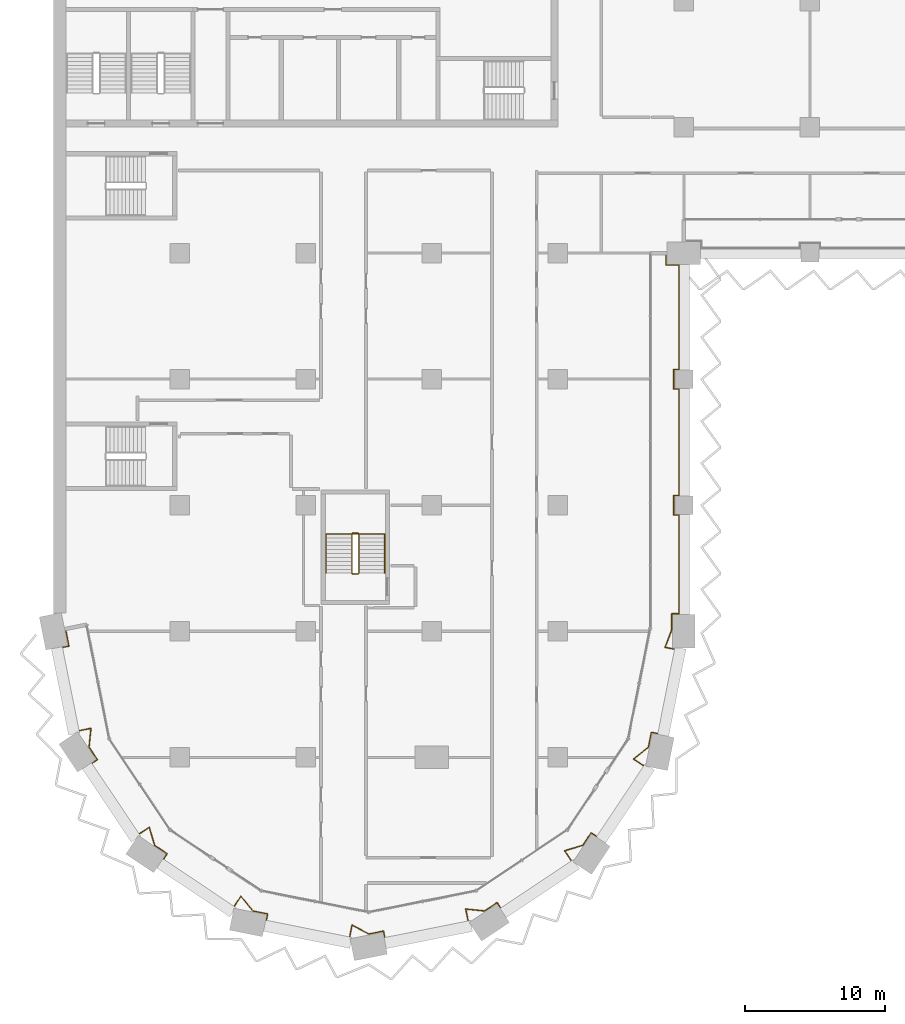
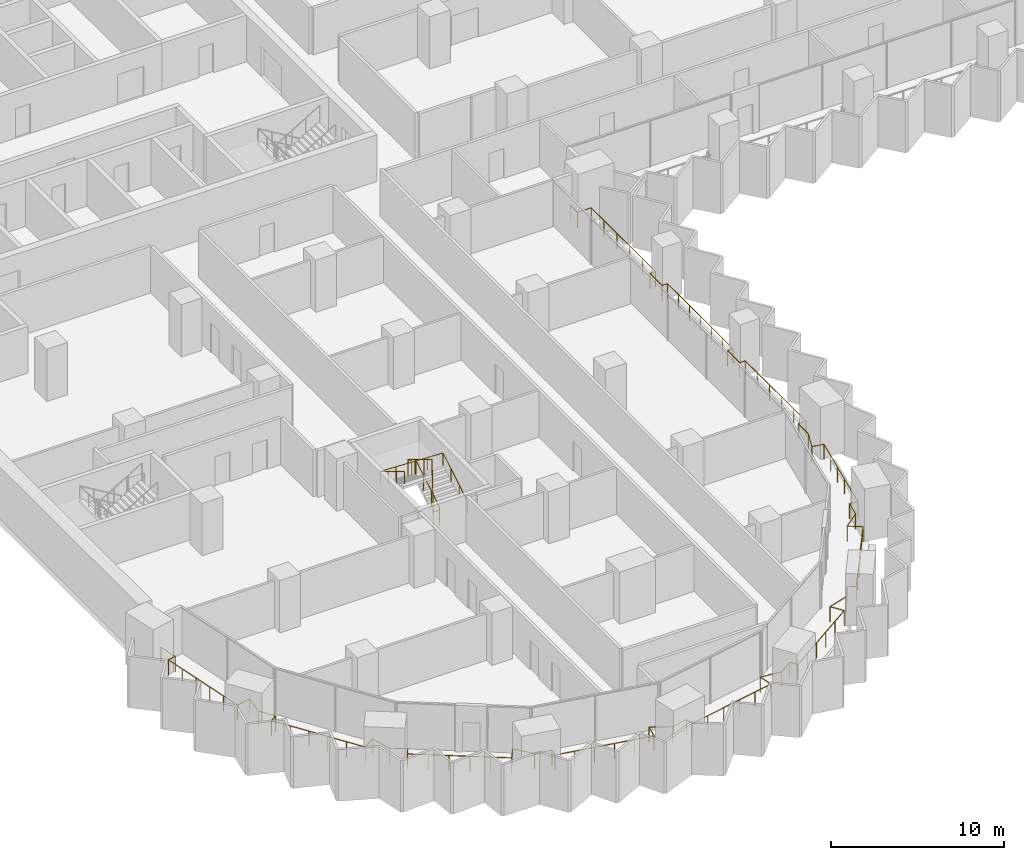
# One storey, part 25 of 29: 3 railings.
"""IFC4 building model written with IfcOpenShell, lengths in metres."""

from ifc_helpers import new_model, si_unit, direction, frame, origin, origin_2d, place, context, subcontext, project, spatial, circle, extrude, material, type_object, element, save


model = new_model("IFC4")

# Units and contexts
model_context = context("Model", 3, precision=1e-05, world=origin(), true_north=direction((0.0, 1.0)))
body_context = subcontext(model_context, "Body", "Model", "MODEL_VIEW")
ifc_project = project(units=[si_unit("LENGTHUNIT", "METRE"), si_unit("AREAUNIT", "SQUARE_METRE"), si_unit("VOLUMEUNIT", "CUBIC_METRE"), si_unit("PLANEANGLEUNIT", "RADIAN"), si_unit("MASSUNIT", "GRAM", prefix="KILO")], contexts=[model_context])

# Site, building, storey
site_placement = place(None, origin())
site = spatial("IfcSite", under=ifc_project, at=site_placement, CompositionType="ELEMENT")
building_placement = place(site_placement, origin())
building = spatial("IfcBuilding", under=site, at=building_placement, Name="Hunhe Ridgeline Campus", CompositionType="ELEMENT")
storey_placement = place(building_placement, frame((0.0, 0.0, 54.300048828125)))
storey = spatial("IfcBuildingStorey", under=building, at=storey_placement, Name="L12", CompositionType="ELEMENT", Elevation=54.300048828125)

# Railings
ifc_material_1 = material(Name="Steel Q355", Category="steel")
railing_type_1 = type_object("IfcRailingType", Name="Loggia guard 1100 Steel Q355", PredefinedType="GUARDRAIL", material=ifc_material_1)
railing_1_placement = place(storey_placement, frame((0.853271484375, 27.169677734375, 0.0)))
element("IfcRailing", 1, at=railing_1_placement, inside=storey, type_object=railing_type_1, Name="Loggia guard 1", PredefinedType="GUARDRAIL", context=body_context, shape_type="SweptSolid", body=[
    extrude(circle(Radius=0.02392578125, at=origin_2d()), frame((0.0, 0.0, 1.076171875), z_axis=(0.195139364365, -0.980775523999, 0.0), x_axis=(0.980775523999, 0.195139364365, 0.0)), (0.0, 0.0, 1.0), 1.249755859375),
    extrude(circle(Radius=0.02392578125, at=origin_2d()), frame((0.243896484375, -1.225830078125, 1.076171875), z_axis=(-0.980742851189, -0.195303506986, 0.0), x_axis=(0.195303506986, -0.980742851189, 0.0)), (0.0, 0.0, 1.0), 0.52001953125),
    extrude(circle(Radius=0.02392578125, at=origin_2d()), frame((-0.26611328125, -1.327392578125, 1.076171875), z_axis=(0.195094074844, -0.980784533912, 0.0), x_axis=(0.980784533912, 0.195094074844, 0.0)), (0.0, 0.0, 1.0), 6.064208984375),
    extrude(circle(Radius=0.02392578125, at=origin_2d()), frame((0.9169921875, -7.275146484375, 1.076171875), z_axis=(0.980774480174, 0.195144610585, 0.0), x_axis=(-0.195144610585, 0.980774480174, 0.0)), (0.0, 0.0, 1.0), 0.918212890625),
    extrude(circle(Radius=0.02392578125, at=origin_2d()), frame((1.817626953125, -7.095947265625, 1.076171875), z_axis=(-0.102578746514, -0.994724886973, 0.0), x_axis=(0.994724886973, -0.102578746514, 0.0)), (0.0, 0.0, 1.0), 1.351806640625),
    extrude(circle(Radius=0.02392578125, at=origin_2d()), frame((1.678955078125, -8.440673828125, 1.076171875), z_axis=(0.555693885997, -0.831386976724, 0.0), x_axis=(0.831386976724, 0.555693885997, 0.0)), (0.0, 0.0, 1.0), 1.076904296875),
    extrude(circle(Radius=0.02392578125, at=origin_2d()), frame((2.27734375, -9.3359375, 1.076171875), z_axis=(-0.831327417949, -0.555782982977, 0.0), x_axis=(0.555782982977, -0.831327417949, 0.0)), (0.0, 0.0, 1.0), 0.52001953125),
    extrude(circle(Radius=0.02392578125, at=origin_2d()), frame((1.844970703125, -9.625, 1.076171875), z_axis=(0.55557319973, -0.831467630002, 0.0), x_axis=(0.831467630002, 0.55557319973, 0.0)), (0.0, 0.0, 1.0), 6.064208984375),
    extrude(circle(Radius=0.02392578125, at=origin_2d()), frame((5.214111328125, -14.667236328125, 1.076171875), z_axis=(0.831395250422, 0.555681507318, 0.0), x_axis=(-0.555681507318, 0.831395250422, 0.0)), (0.0, 0.0, 1.0), 0.918212890625),
    extrude(circle(Radius=0.02392578125, at=origin_2d()), frame((5.9775390625, -14.156982421875, 1.076171875), z_axis=(0.285889499126, -0.958262591511, 0.0), x_axis=(0.958262591511, 0.285889499126, 0.0)), (0.0, 0.0, 1.0), 1.351806640625),
    extrude(circle(Radius=0.02392578125, at=origin_2d()), frame((6.364013671875, -15.452392578125, 1.076171875), z_axis=(0.831456967492, -0.555589156849, 0.0), x_axis=(0.555589156849, 0.831456967492, 0.0)), (0.0, 0.0, 1.0), 1.0771484375),
    extrude(circle(Radius=0.02392578125, at=origin_2d()), frame((7.259521484375, -16.05078125, 1.076171875), z_axis=(-0.555675381322, -0.831399344835, 0.0), x_axis=(0.831399344835, -0.555675381322, 0.0)), (0.0, 0.0, 1.0), 0.519775390625),
    extrude(circle(Radius=0.02392578125, at=origin_2d()), frame((6.970703125, -16.48291015625, 1.076171875), z_axis=(0.831467630002, -0.55557319973, 0.0), x_axis=(0.55557319973, 0.831467630002, 0.0)), (0.0, 0.0, 1.0), 6.064208984375),
    extrude(circle(Radius=0.02392578125, at=origin_2d()), frame((12.012939453125, -19.85205078125, 1.076171875), z_axis=(0.555497688072, 0.831518080709, 0.0), x_axis=(-0.831518080709, 0.555497688072, 0.0)), (0.0, 0.0, 1.0), 0.918212890625),
    extrude(circle(Radius=0.02392578125, at=origin_2d()), frame((12.52294921875, -19.088623046875, 1.076171875), z_axis=(0.630864561128, -0.775892972976, 0.0), x_axis=(0.775892972976, 0.630864561128, 0.0)), (0.0, 0.0, 1.0), 1.351806640625),
    extrude(circle(Radius=0.02392578125, at=origin_2d()), frame((13.375732421875, -20.137451171875, 1.076171875), z_axis=(0.980771998786, -0.195157081339, 0.0), x_axis=(0.195157081339, 0.980771998786, 0.0)), (0.0, 0.0, 1.0), 1.0771484375),
    extrude(circle(Radius=0.02392578125, at=origin_2d()), frame((14.43212890625, -20.34765625, 1.076171875), z_axis=(-0.195303506986, -0.980742851189, 0.0), x_axis=(0.980742851189, -0.195303506986, 0.0)), (0.0, 0.0, 1.0), 0.52001953125),
    extrude(circle(Radius=0.02392578125, at=origin_2d()), frame((14.33056640625, -20.857666015625, 1.076171875), z_axis=(0.980792236535, -0.195055347919, 0.0), x_axis=(0.195055347919, 0.980792236535, 0.0)), (0.0, 0.0, 1.0), 6.064208984375),
    extrude(circle(Radius=0.02392578125, at=origin_2d()), frame((20.2783203125, -22.04052734375, 1.076171875), z_axis=(0.195144610585, 0.980774480174, 0.0), x_axis=(-0.980774480174, 0.195144610585, 0.0)), (0.0, 0.0, 1.0), 0.918212890625),
    extrude(circle(Radius=0.02392578125, at=origin_2d()), frame((20.45751953125, -21.139892578125, 1.076171875), z_axis=(0.879704471732, -0.475520811757, 0.0), x_axis=(0.475520811757, 0.879704471732, 0.0)), (0.0, 0.0, 1.0), 1.351806640625),
    extrude(circle(Radius=0.02392578125, at=origin_2d()), frame((21.646728515625, -21.78271484375, 1.076171875), z_axis=(0.980763363144, 0.195200475189, 0.0), x_axis=(-0.195200475189, 0.980763363144, 0.0)), (0.0, 0.0, 1.0), 1.076904296875),
    extrude(circle(Radius=0.02392578125, at=origin_2d()), frame((22.702880859375, -21.572509765625, 1.076171875), z_axis=(0.195303506986, -0.980742851189, 0.0), x_axis=(0.980742851189, 0.195303506986, 0.0)), (0.0, 0.0, 1.0), 0.52001953125),
    extrude(circle(Radius=0.02392578125, at=origin_2d()), frame((22.804443359375, -22.08251953125, 1.076171875), z_axis=(0.980784533912, 0.195094074844, 0.0), x_axis=(-0.195094074844, 0.980784533912, 0.0)), (0.0, 0.0, 1.0), 6.064208984375),
    extrude(circle(Radius=0.02392578125, at=origin_2d()), frame((28.752197265625, -20.8994140625, 1.076171875), z_axis=(-0.195144610585, 0.980774480174, 0.0), x_axis=(-0.980774480174, -0.195144610585, 0.0)), (0.0, 0.0, 1.0), 0.918212890625),
    extrude(circle(Radius=0.02392578125, at=origin_2d()), frame((28.572998046875, -19.998779296875, 1.076171875), z_axis=(0.994724886973, -0.102578746514, 0.0), x_axis=(0.102578746514, 0.994724886973, 0.0)), (0.0, 0.0, 1.0), 1.351806640625),
    extrude(circle(Radius=0.02392578125, at=origin_2d()), frame((29.917724609375, -20.137451171875, 1.076171875), z_axis=(0.831386976724, 0.555693885997, 0.0), x_axis=(-0.555693885997, 0.831386976724, 0.0)), (0.0, 0.0, 1.0), 1.076904296875),
    extrude(circle(Radius=0.02392578125, at=origin_2d()), frame((30.81298828125, -19.5390625, 1.076171875), z_axis=(0.555782982977, -0.831327417949, 0.0), x_axis=(0.831327417949, 0.555782982977, 0.0)), (0.0, 0.0, 1.0), 0.52001953125),
    extrude(circle(Radius=0.02392578125, at=origin_2d()), frame((31.10205078125, -19.971435546875, 1.076171875), z_axis=(0.831467630002, 0.55557319973, 0.0), x_axis=(-0.55557319973, 0.831467630002, 0.0)), (0.0, 0.0, 1.0), 6.064208984375),
    extrude(circle(Radius=0.02392578125, at=origin_2d()), frame((36.144287109375, -16.602294921875, 1.076171875), z_axis=(-0.555681507318, 0.831395250422, 0.0), x_axis=(-0.831395250422, -0.555681507318, 0.0)), (0.0, 0.0, 1.0), 0.918212890625),
    extrude(circle(Radius=0.02392578125, at=origin_2d()), frame((35.634033203125, -15.8388671875, 1.076171875), z_axis=(0.958262591511, 0.285889499126, 0.0), x_axis=(-0.285889499126, 0.958262591511, 0.0)), (0.0, 0.0, 1.0), 1.351806640625),
    extrude(circle(Radius=0.02392578125, at=origin_2d()), frame((36.929443359375, -15.452392578125, 1.076171875), z_axis=(0.555589156849, 0.831456967492, 0.0), x_axis=(-0.831456967492, 0.555589156849, 0.0)), (0.0, 0.0, 1.0), 1.0771484375),
    extrude(circle(Radius=0.02392578125, at=origin_2d()), frame((37.52783203125, -14.556884765625, 1.076171875), z_axis=(0.831399344835, -0.555675381322, 0.0), x_axis=(0.555675381322, 0.831399344835, 0.0)), (0.0, 0.0, 1.0), 0.519775390625),
    extrude(circle(Radius=0.02392578125, at=origin_2d()), frame((37.9599609375, -14.845703125, 1.076171875), z_axis=(0.55557319973, 0.831467630002, 0.0), x_axis=(-0.831467630002, 0.55557319973, 0.0)), (0.0, 0.0, 1.0), 6.064208984375),
    extrude(circle(Radius=0.02392578125, at=origin_2d()), frame((41.3291015625, -9.803466796875, 1.076171875), z_axis=(-0.831518080709, 0.555497688072, 0.0), x_axis=(-0.555497688072, -0.831518080709, 0.0)), (0.0, 0.0, 1.0), 0.918212890625),
    extrude(circle(Radius=0.02392578125, at=origin_2d()), frame((40.565673828125, -9.29345703125, 1.076171875), z_axis=(0.775892972976, 0.630864561128, 0.0), x_axis=(-0.630864561128, 0.775892972976, 0.0)), (0.0, 0.0, 1.0), 1.351806640625),
    extrude(circle(Radius=0.02392578125, at=origin_2d()), frame((41.614501953125, -8.440673828125, 1.076171875), z_axis=(0.195157081339, 0.980771998786, 0.0), x_axis=(-0.980771998786, 0.195157081339, 0.0)), (0.0, 0.0, 1.0), 1.0771484375),
    extrude(circle(Radius=0.02392578125, at=origin_2d()), frame((41.82470703125, -7.38427734375, 1.076171875), z_axis=(0.980742851189, -0.195303506986, 0.0), x_axis=(0.195303506986, 0.980742851189, 0.0)), (0.0, 0.0, 1.0), 0.52001953125),
    extrude(circle(Radius=0.02392578125, at=origin_2d()), frame((42.334716796875, -7.48583984375, 1.076171875), z_axis=(0.19507712928, 0.980787904509, 0.0), x_axis=(-0.980787904509, 0.19507712928, 0.0)), (0.0, 0.0, 1.0), 6.146240234375),
    extrude(circle(Radius=0.02392578125, at=origin_2d()), frame((43.53369140625, -1.457763671875, 1.076171875), z_axis=(-0.980808789294, 0.194972097602, 0.0), x_axis=(-0.194972097602, -0.980808789294, 0.0)), (0.0, 0.0, 1.0), 0.73876953125),
    extrude(circle(Radius=0.02392578125, at=origin_2d()), frame((42.80908203125, -1.313720703125, 1.076171875), z_axis=(0.35537018301, 0.93472564586, 0.0), x_axis=(-0.93472564586, 0.35537018301, 0.0)), (0.0, 0.0, 1.0), 1.315673828125),
    extrude(circle(Radius=0.02392578125, at=origin_2d()), frame((43.276611328125, -0.083984375, 1.076171875), z_axis=(0.0, 1.0, 0.0), x_axis=(-1.0, 0.0, 0.0)), (0.0, 0.0, 1.0), 1.164306640625),
    extrude(circle(Radius=0.02392578125, at=origin_2d()), frame((43.276611328125, 1.080322265625, 1.076171875), z_axis=(1.0, 0.0, 0.0), x_axis=(0.0, 1.0, 0.0)), (0.0, 0.0, 1.0), 0.52001953125),
    extrude(circle(Radius=0.02392578125, at=origin_2d()), frame((43.796630859375, 1.080322265625, 1.076171875), z_axis=(0.0, 1.0, 0.0), x_axis=(-1.0, 0.0, 0.0)), (0.0, 0.0, 1.0), 7.050048828125),
    extrude(circle(Radius=0.02392578125, at=origin_2d()), frame((43.796630859375, 8.13037109375, 1.076171875), z_axis=(-1.0, 0.0, 0.0), x_axis=(0.0, -1.0, 0.0)), (0.0, 0.0, 1.0), 0.369873046875),
    extrude(circle(Radius=0.02392578125, at=origin_2d()), frame((43.4267578125, 8.13037109375, 1.076171875), z_axis=(0.0, 1.0, 0.0), x_axis=(-1.0, 0.0, 0.0)), (0.0, 0.0, 1.0), 1.39990234375),
    extrude(circle(Radius=0.02392578125, at=origin_2d()), frame((43.4267578125, 9.5302734375, 1.076171875), z_axis=(1.0, 0.0, 0.0), x_axis=(0.0, 1.0, 0.0)), (0.0, 0.0, 1.0), 0.369873046875),
    extrude(circle(Radius=0.02392578125, at=origin_2d()), frame((43.796630859375, 9.5302734375, 1.076171875), z_axis=(0.0, 1.0, 0.0), x_axis=(-1.0, 0.0, 0.0)), (0.0, 0.0, 1.0), 7.60009765625),
    extrude(circle(Radius=0.02392578125, at=origin_2d()), frame((43.796630859375, 17.13037109375, 1.076171875), z_axis=(-1.0, 0.0, 0.0), x_axis=(0.0, -1.0, 0.0)), (0.0, 0.0, 1.0), 0.369873046875),
    extrude(circle(Radius=0.02392578125, at=origin_2d()), frame((43.4267578125, 17.13037109375, 1.076171875), z_axis=(0.0, 1.0, 0.0), x_axis=(-1.0, 0.0, 0.0)), (0.0, 0.0, 1.0), 1.39990234375),
    extrude(circle(Radius=0.02392578125, at=origin_2d()), frame((43.4267578125, 18.5302734375, 1.076171875), z_axis=(1.0, 0.0, 0.0), x_axis=(0.0, 1.0, 0.0)), (0.0, 0.0, 1.0), 0.369873046875),
    extrude(circle(Radius=0.02392578125, at=origin_2d()), frame((43.796630859375, 18.5302734375, 1.076171875), z_axis=(0.0, 1.0, 0.0), x_axis=(-1.0, 0.0, 0.0)), (0.0, 0.0, 1.0), 7.449951171875),
    extrude(circle(Radius=0.02392578125, at=origin_2d()), frame((43.796630859375, 25.980224609375, 1.076171875), z_axis=(-1.0, 0.0, 0.0), x_axis=(0.0, -1.0, 0.0)), (0.0, 0.0, 1.0), 0.919921875),
    extrude(circle(Radius=0.02392578125, at=origin_2d()), frame((42.876708984375, 25.980224609375, 1.076171875), z_axis=(0.0, 1.0, 0.0), x_axis=(-1.0, 0.0, 0.0)), (0.0, 0.0, 1.0), 0.85009765625),
    extrude(circle(Radius=0.02099609375, at=origin_2d()), origin(), (0.0, 0.0, 1.0), 1.052001953125),
    extrude(circle(Radius=0.02099609375, at=origin_2d()), frame((0.243896484375, -1.225830078125, 0.0)), (0.0, 0.0, 1.0), 1.052001953125),
    extrude(circle(Radius=0.02099609375, at=origin_2d()), frame((-0.26611328125, -1.327392578125, 0.0)), (0.0, 0.0, 1.0), 1.052001953125),
    extrude(circle(Radius=0.02099609375, at=origin_2d()), frame((-0.029541015625, -2.516845703125, 0.0)), (0.0, 0.0, 1.0), 1.052001953125),
    extrude(circle(Radius=0.02099609375, at=origin_2d()), frame((0.20703125, -3.70654296875, 0.0)), (0.0, 0.0, 1.0), 1.052001953125),
    extrude(circle(Radius=0.02099609375, at=origin_2d()), frame((0.44384765625, -4.89599609375, 0.0)), (0.0, 0.0, 1.0), 1.052001953125),
    extrude(circle(Radius=0.02099609375, at=origin_2d()), frame((0.680419921875, -6.085693359375, 0.0)), (0.0, 0.0, 1.0), 1.052001953125),
    extrude(circle(Radius=0.02099609375, at=origin_2d()), frame((0.9169921875, -7.275146484375, 0.0)), (0.0, 0.0, 1.0), 1.052001953125),
    extrude(circle(Radius=0.02099609375, at=origin_2d()), frame((1.817626953125, -7.095947265625, 0.0)), (0.0, 0.0, 1.0), 1.052001953125),
    extrude(circle(Radius=0.02099609375, at=origin_2d()), frame((1.678955078125, -8.440673828125, 0.0)), (0.0, 0.0, 1.0), 1.052001953125),
    extrude(circle(Radius=0.02099609375, at=origin_2d()), frame((2.27734375, -9.3359375, 0.0)), (0.0, 0.0, 1.0), 1.052001953125),
    extrude(circle(Radius=0.02099609375, at=origin_2d()), frame((1.844970703125, -9.625, 0.0)), (0.0, 0.0, 1.0), 1.052001953125),
    extrude(circle(Radius=0.02099609375, at=origin_2d()), frame((2.518798828125, -10.633544921875, 0.0)), (0.0, 0.0, 1.0), 1.052001953125),
    extrude(circle(Radius=0.02099609375, at=origin_2d()), frame((3.192626953125, -11.641845703125, 0.0)), (0.0, 0.0, 1.0), 1.052001953125),
    extrude(circle(Radius=0.02099609375, at=origin_2d()), frame((3.866455078125, -12.650390625, 0.0)), (0.0, 0.0, 1.0), 1.052001953125),
    extrude(circle(Radius=0.02099609375, at=origin_2d()), frame((4.540283203125, -13.65869140625, 0.0)), (0.0, 0.0, 1.0), 1.052001953125),
    extrude(circle(Radius=0.02099609375, at=origin_2d()), frame((5.214111328125, -14.667236328125, 0.0)), (0.0, 0.0, 1.0), 1.052001953125),
    extrude(circle(Radius=0.02099609375, at=origin_2d()), frame((5.9775390625, -14.156982421875, 0.0)), (0.0, 0.0, 1.0), 1.052001953125),
    extrude(circle(Radius=0.02099609375, at=origin_2d()), frame((6.364013671875, -15.452392578125, 0.0)), (0.0, 0.0, 1.0), 1.052001953125),
    extrude(circle(Radius=0.02099609375, at=origin_2d()), frame((7.259521484375, -16.05078125, 0.0)), (0.0, 0.0, 1.0), 1.052001953125),
    extrude(circle(Radius=0.02099609375, at=origin_2d()), frame((6.970703125, -16.48291015625, 0.0)), (0.0, 0.0, 1.0), 1.052001953125),
    extrude(circle(Radius=0.02099609375, at=origin_2d()), frame((7.979248046875, -17.15673828125, 0.0)), (0.0, 0.0, 1.0), 1.052001953125),
    extrude(circle(Radius=0.02099609375, at=origin_2d()), frame((8.987548828125, -17.83056640625, 0.0)), (0.0, 0.0, 1.0), 1.052001953125),
    extrude(circle(Radius=0.02099609375, at=origin_2d()), frame((9.99609375, -18.50439453125, 0.0)), (0.0, 0.0, 1.0), 1.052001953125),
    extrude(circle(Radius=0.02099609375, at=origin_2d()), frame((11.00439453125, -19.17822265625, 0.0)), (0.0, 0.0, 1.0), 1.052001953125),
    extrude(circle(Radius=0.02099609375, at=origin_2d()), frame((12.012939453125, -19.85205078125, 0.0)), (0.0, 0.0, 1.0), 1.052001953125),
    extrude(circle(Radius=0.02099609375, at=origin_2d()), frame((12.52294921875, -19.088623046875, 0.0)), (0.0, 0.0, 1.0), 1.052001953125),
    extrude(circle(Radius=0.02099609375, at=origin_2d()), frame((13.375732421875, -20.137451171875, 0.0)), (0.0, 0.0, 1.0), 1.052001953125),
    extrude(circle(Radius=0.02099609375, at=origin_2d()), frame((14.43212890625, -20.34765625, 0.0)), (0.0, 0.0, 1.0), 1.052001953125),
    extrude(circle(Radius=0.02099609375, at=origin_2d()), frame((14.33056640625, -20.857666015625, 0.0)), (0.0, 0.0, 1.0), 1.052001953125),
    extrude(circle(Radius=0.02099609375, at=origin_2d()), frame((15.52001953125, -21.09423828125, 0.0)), (0.0, 0.0, 1.0), 1.052001953125),
    extrude(circle(Radius=0.02099609375, at=origin_2d()), frame((16.709716796875, -21.330810546875, 0.0)), (0.0, 0.0, 1.0), 1.052001953125),
    extrude(circle(Radius=0.02099609375, at=origin_2d()), frame((17.899169921875, -21.5673828125, 0.0)), (0.0, 0.0, 1.0), 1.052001953125),
    extrude(circle(Radius=0.02099609375, at=origin_2d()), frame((19.0888671875, -21.803955078125, 0.0)), (0.0, 0.0, 1.0), 1.052001953125),
    extrude(circle(Radius=0.02099609375, at=origin_2d()), frame((20.2783203125, -22.04052734375, 0.0)), (0.0, 0.0, 1.0), 1.052001953125),
    extrude(circle(Radius=0.02099609375, at=origin_2d()), frame((20.45751953125, -21.139892578125, 0.0)), (0.0, 0.0, 1.0), 1.052001953125),
    extrude(circle(Radius=0.02099609375, at=origin_2d()), frame((21.646728515625, -21.78271484375, 0.0)), (0.0, 0.0, 1.0), 1.052001953125),
    extrude(circle(Radius=0.02099609375, at=origin_2d()), frame((22.702880859375, -21.572509765625, 0.0)), (0.0, 0.0, 1.0), 1.052001953125),
    extrude(circle(Radius=0.02099609375, at=origin_2d()), frame((22.804443359375, -22.08251953125, 0.0)), (0.0, 0.0, 1.0), 1.052001953125),
    extrude(circle(Radius=0.02099609375, at=origin_2d()), frame((23.993896484375, -21.845947265625, 0.0)), (0.0, 0.0, 1.0), 1.052001953125),
    extrude(circle(Radius=0.02099609375, at=origin_2d()), frame((25.18359375, -21.609375, 0.0)), (0.0, 0.0, 1.0), 1.052001953125),
    extrude(circle(Radius=0.02099609375, at=origin_2d()), frame((26.373046875, -21.37255859375, 0.0)), (0.0, 0.0, 1.0), 1.052001953125),
    extrude(circle(Radius=0.02099609375, at=origin_2d()), frame((27.562744140625, -21.135986328125, 0.0)), (0.0, 0.0, 1.0), 1.052001953125),
    extrude(circle(Radius=0.02099609375, at=origin_2d()), frame((28.752197265625, -20.8994140625, 0.0)), (0.0, 0.0, 1.0), 1.052001953125),
    extrude(circle(Radius=0.02099609375, at=origin_2d()), frame((28.572998046875, -19.998779296875, 0.0)), (0.0, 0.0, 1.0), 1.052001953125),
    extrude(circle(Radius=0.02099609375, at=origin_2d()), frame((29.917724609375, -20.137451171875, 0.0)), (0.0, 0.0, 1.0), 1.052001953125),
    extrude(circle(Radius=0.02099609375, at=origin_2d()), frame((30.81298828125, -19.5390625, 0.0)), (0.0, 0.0, 1.0), 1.052001953125),
    extrude(circle(Radius=0.02099609375, at=origin_2d()), frame((31.10205078125, -19.971435546875, 0.0)), (0.0, 0.0, 1.0), 1.052001953125),
    extrude(circle(Radius=0.02099609375, at=origin_2d()), frame((32.110595703125, -19.297607421875, 0.0)), (0.0, 0.0, 1.0), 1.052001953125),
    extrude(circle(Radius=0.02099609375, at=origin_2d()), frame((33.118896484375, -18.623779296875, 0.0)), (0.0, 0.0, 1.0), 1.052001953125),
    extrude(circle(Radius=0.02099609375, at=origin_2d()), frame((34.12744140625, -17.949951171875, 0.0)), (0.0, 0.0, 1.0), 1.052001953125),
    extrude(circle(Radius=0.02099609375, at=origin_2d()), frame((35.1357421875, -17.276123046875, 0.0)), (0.0, 0.0, 1.0), 1.052001953125),
    extrude(circle(Radius=0.02099609375, at=origin_2d()), frame((36.144287109375, -16.602294921875, 0.0)), (0.0, 0.0, 1.0), 1.052001953125),
    extrude(circle(Radius=0.02099609375, at=origin_2d()), frame((35.634033203125, -15.8388671875, 0.0)), (0.0, 0.0, 1.0), 1.052001953125),
    extrude(circle(Radius=0.02099609375, at=origin_2d()), frame((36.929443359375, -15.452392578125, 0.0)), (0.0, 0.0, 1.0), 1.052001953125),
    extrude(circle(Radius=0.02099609375, at=origin_2d()), frame((37.52783203125, -14.556884765625, 0.0)), (0.0, 0.0, 1.0), 1.052001953125),
    extrude(circle(Radius=0.02099609375, at=origin_2d()), frame((37.9599609375, -14.845703125, 0.0)), (0.0, 0.0, 1.0), 1.052001953125),
    extrude(circle(Radius=0.02099609375, at=origin_2d()), frame((38.6337890625, -13.837158203125, 0.0)), (0.0, 0.0, 1.0), 1.052001953125),
    extrude(circle(Radius=0.02099609375, at=origin_2d()), frame((39.3076171875, -12.828857421875, 0.0)), (0.0, 0.0, 1.0), 1.052001953125),
    extrude(circle(Radius=0.02099609375, at=origin_2d()), frame((39.9814453125, -11.8203125, 0.0)), (0.0, 0.0, 1.0), 1.052001953125),
    extrude(circle(Radius=0.02099609375, at=origin_2d()), frame((40.6552734375, -10.81201171875, 0.0)), (0.0, 0.0, 1.0), 1.052001953125),
    extrude(circle(Radius=0.02099609375, at=origin_2d()), frame((41.3291015625, -9.803466796875, 0.0)), (0.0, 0.0, 1.0), 1.052001953125),
    extrude(circle(Radius=0.02099609375, at=origin_2d()), frame((40.565673828125, -9.29345703125, 0.0)), (0.0, 0.0, 1.0), 1.052001953125),
    extrude(circle(Radius=0.02099609375, at=origin_2d()), frame((41.614501953125, -8.440673828125, 0.0)), (0.0, 0.0, 1.0), 1.052001953125),
    extrude(circle(Radius=0.02099609375, at=origin_2d()), frame((41.82470703125, -7.38427734375, 0.0)), (0.0, 0.0, 1.0), 1.052001953125),
    extrude(circle(Radius=0.02099609375, at=origin_2d()), frame((42.334716796875, -7.48583984375, 0.0)), (0.0, 0.0, 1.0), 1.052001953125),
    extrude(circle(Radius=0.02099609375, at=origin_2d()), frame((42.574462890625, -6.2802734375, 0.0)), (0.0, 0.0, 1.0), 1.052001953125),
    extrude(circle(Radius=0.02099609375, at=origin_2d()), frame((42.814208984375, -5.07470703125, 0.0)), (0.0, 0.0, 1.0), 1.052001953125),
    extrude(circle(Radius=0.02099609375, at=origin_2d()), frame((43.05419921875, -3.868896484375, 0.0)), (0.0, 0.0, 1.0), 1.052001953125),
    extrude(circle(Radius=0.02099609375, at=origin_2d()), frame((43.2939453125, -2.663330078125, 0.0)), (0.0, 0.0, 1.0), 1.052001953125),
    extrude(circle(Radius=0.02099609375, at=origin_2d()), frame((43.53369140625, -1.457763671875, 0.0)), (0.0, 0.0, 1.0), 1.052001953125),
    extrude(circle(Radius=0.02099609375, at=origin_2d()), frame((42.80908203125, -1.313720703125, 0.0)), (0.0, 0.0, 1.0), 1.052001953125),
    extrude(circle(Radius=0.02099609375, at=origin_2d()), frame((43.276611328125, -0.083984375, 0.0)), (0.0, 0.0, 1.0), 1.052001953125),
    extrude(circle(Radius=0.02099609375, at=origin_2d()), frame((43.276611328125, 1.080322265625, 0.0)), (0.0, 0.0, 1.0), 1.052001953125),
    extrude(circle(Radius=0.02099609375, at=origin_2d()), frame((43.796630859375, 1.080322265625, 0.0)), (0.0, 0.0, 1.0), 1.052001953125),
    extrude(circle(Radius=0.02099609375, at=origin_2d()), frame((43.796630859375, 2.490234375, 0.0)), (0.0, 0.0, 1.0), 1.052001953125),
    extrude(circle(Radius=0.02099609375, at=origin_2d()), frame((43.796630859375, 3.900390625, 0.0)), (0.0, 0.0, 1.0), 1.052001953125),
    extrude(circle(Radius=0.02099609375, at=origin_2d()), frame((43.796630859375, 5.310302734375, 0.0)), (0.0, 0.0, 1.0), 1.052001953125),
    extrude(circle(Radius=0.02099609375, at=origin_2d()), frame((43.796630859375, 6.720458984375, 0.0)), (0.0, 0.0, 1.0), 1.052001953125),
    extrude(circle(Radius=0.02099609375, at=origin_2d()), frame((43.796630859375, 8.13037109375, 0.0)), (0.0, 0.0, 1.0), 1.052001953125),
    extrude(circle(Radius=0.02099609375, at=origin_2d()), frame((43.4267578125, 8.13037109375, 0.0)), (0.0, 0.0, 1.0), 1.052001953125),
    extrude(circle(Radius=0.02099609375, at=origin_2d()), frame((43.4267578125, 9.5302734375, 0.0)), (0.0, 0.0, 1.0), 1.052001953125),
    extrude(circle(Radius=0.02099609375, at=origin_2d()), frame((43.796630859375, 9.5302734375, 0.0)), (0.0, 0.0, 1.0), 1.052001953125),
    extrude(circle(Radius=0.02099609375, at=origin_2d()), frame((43.796630859375, 10.796875, 0.0)), (0.0, 0.0, 1.0), 1.052001953125),
    extrude(circle(Radius=0.02099609375, at=origin_2d()), frame((43.796630859375, 12.063720703125, 0.0)), (0.0, 0.0, 1.0), 1.052001953125),
    extrude(circle(Radius=0.02099609375, at=origin_2d()), frame((43.796630859375, 13.330322265625, 0.0)), (0.0, 0.0, 1.0), 1.052001953125),
    extrude(circle(Radius=0.02099609375, at=origin_2d()), frame((43.796630859375, 14.596923828125, 0.0)), (0.0, 0.0, 1.0), 1.052001953125),
    extrude(circle(Radius=0.02099609375, at=origin_2d()), frame((43.796630859375, 15.86376953125, 0.0)), (0.0, 0.0, 1.0), 1.052001953125),
    extrude(circle(Radius=0.02099609375, at=origin_2d()), frame((43.796630859375, 17.13037109375, 0.0)), (0.0, 0.0, 1.0), 1.052001953125),
    extrude(circle(Radius=0.02099609375, at=origin_2d()), frame((43.4267578125, 17.13037109375, 0.0)), (0.0, 0.0, 1.0), 1.052001953125),
    extrude(circle(Radius=0.02099609375, at=origin_2d()), frame((43.4267578125, 18.5302734375, 0.0)), (0.0, 0.0, 1.0), 1.052001953125),
    extrude(circle(Radius=0.02099609375, at=origin_2d()), frame((43.796630859375, 18.5302734375, 0.0)), (0.0, 0.0, 1.0), 1.052001953125),
    extrude(circle(Radius=0.02099609375, at=origin_2d()), frame((43.796630859375, 20.020263671875, 0.0)), (0.0, 0.0, 1.0), 1.052001953125),
    extrude(circle(Radius=0.02099609375, at=origin_2d()), frame((43.796630859375, 21.51025390625, 0.0)), (0.0, 0.0, 1.0), 1.052001953125),
    extrude(circle(Radius=0.02099609375, at=origin_2d()), frame((43.796630859375, 23.000244140625, 0.0)), (0.0, 0.0, 1.0), 1.052001953125),
    extrude(circle(Radius=0.02099609375, at=origin_2d()), frame((43.796630859375, 24.490234375, 0.0)), (0.0, 0.0, 1.0), 1.052001953125),
    extrude(circle(Radius=0.02099609375, at=origin_2d()), frame((43.796630859375, 25.980224609375, 0.0)), (0.0, 0.0, 1.0), 1.052001953125),
    extrude(circle(Radius=0.02099609375, at=origin_2d()), frame((42.876708984375, 25.980224609375, 0.0)), (0.0, 0.0, 1.0), 1.052001953125),
    extrude(circle(Radius=0.02099609375, at=origin_2d()), frame((42.876708984375, 26.830322265625, 0.0)), (0.0, 0.0, 1.0), 1.052001953125),
])
ifc_material_2 = material(Name="Stainless steel balustrade", Category="steel")
railing_type_2 = type_object("IfcRailingType", Name="Stair guard 1100 stainless", PredefinedType="GUARDRAIL", material=ifc_material_2)
railing_2_placement = place(storey_placement, frame((21.800048828125, 31.14990234375, 0.168212890625)))
element("IfcRailing", 2, at=railing_2_placement, inside=storey, type_object=railing_type_2, Name="L12 stair W3 guard", PredefinedType="GUARDRAIL", context=body_context, shape_type="SweptSolid", body=[
    extrude(circle(Radius=0.02392578125, at=origin_2d()), frame((0.0, 0.0, 1.076171875), z_axis=(0.0, 0.857275202839, 0.514858452973), x_axis=(-1.0, 0.0, 0.0)), (0.0, 0.0, 1.0), 3.26611328125),
    extrude(circle(Radius=0.02392578125, at=origin_2d()), frame((0.0, 2.800048828125, 2.7578125), z_axis=(-0.707106781187, 0.707106781187, 0.0), x_axis=(-0.707106781187, -0.707106781187, 0.0)), (0.0, 0.0, 1.0), 0.07080078125),
    extrude(circle(Radius=0.02392578125, at=origin_2d()), frame((-0.050048828125, 2.85009765625, 2.7578125), z_axis=(-1.0, 0.0, 0.0), x_axis=(0.0, -1.0, 0.0)), (0.0, 0.0, 1.0), 0.39990234375),
    extrude(circle(Radius=0.02392578125, at=origin_2d()), frame((-0.449951171875, 2.85009765625, 2.7578125), z_axis=(-0.274243871929, -0.274243871929, 0.92172696468), x_axis=(0.707106781187, -0.707106781187, 0.0)), (0.0, 0.0, 1.0), 0.1826171875),
    extrude(circle(Radius=0.02392578125, at=origin_2d()), frame((-0.5, 2.800048828125, 2.92578125), z_axis=(0.0, -0.857242210791, 0.514913383045), x_axis=(1.0, 0.0, 0.0)), (0.0, 0.0, 1.0), 3.266357421875),
    extrude(circle(Radius=0.02392578125, at=origin_2d()), frame((-0.5, 0.0, 4.60791015625), z_axis=(0.013524426427, -0.013458453615, -0.999817963389), x_axis=(0.705375805398, 0.708833529934, 0.0)), (0.0, 0.0, 1.0), 3.70068359375),
    extrude(circle(Radius=0.02392578125, at=origin_2d()), frame((-0.449951171875, -0.0498046875, 0.90771484375), z_axis=(1.0, 0.0, 0.0), x_axis=(0.0, 1.0, 0.0)), (0.0, 0.0, 1.0), 0.39990234375),
    extrude(circle(Radius=0.02099609375, at=origin_2d()), origin(), (0.0, 0.0, 1.0), 1.052001953125),
    extrude(circle(Radius=0.02099609375, at=origin_2d()), frame((0.0, 0.933349609375, 0.560546875)), (0.0, 0.0, 1.0), 1.052001953125),
    extrude(circle(Radius=0.02099609375, at=origin_2d()), frame((0.0, 1.86669921875, 1.12109375)), (0.0, 0.0, 1.0), 1.052001953125),
    extrude(circle(Radius=0.02099609375, at=origin_2d()), frame((0.0, 2.800048828125, 1.681640625)), (0.0, 0.0, 1.0), 1.052001953125),
    extrude(circle(Radius=0.02099609375, at=origin_2d()), frame((-0.050048828125, 2.85009765625, 1.681640625)), (0.0, 0.0, 1.0), 1.052001953125),
    extrude(circle(Radius=0.02099609375, at=origin_2d()), frame((-0.449951171875, 2.85009765625, 1.681640625)), (0.0, 0.0, 1.0), 1.052001953125),
    extrude(circle(Radius=0.02099609375, at=origin_2d()), frame((-0.5, 2.800048828125, 1.849853515625)), (0.0, 0.0, 1.0), 1.052001953125),
    extrude(circle(Radius=0.02099609375, at=origin_2d()), frame((-0.5, 1.86669921875, 2.410400390625)), (0.0, 0.0, 1.0), 1.052001953125),
    extrude(circle(Radius=0.02099609375, at=origin_2d()), frame((-0.5, 0.933349609375, 2.97119140625)), (0.0, 0.0, 1.0), 1.052001953125),
    extrude(circle(Radius=0.02099609375, at=origin_2d()), frame((-0.5, 0.0, 3.53173828125)), (0.0, 0.0, 1.0), 1.052001953125),
    extrude(circle(Radius=0.02099609375, at=origin_2d()), frame((-0.487548828125, -0.012451171875, 2.606689453125)), (0.0, 0.0, 1.0), 1.052001953125),
    extrude(circle(Radius=0.02099609375, at=origin_2d()), frame((-0.47509765625, -0.02490234375, 1.681640625)), (0.0, 0.0, 1.0), 1.052001953125),
    extrude(circle(Radius=0.02099609375, at=origin_2d()), frame((-0.46240234375, -0.037353515625, 0.7568359375)), (0.0, 0.0, 1.0), 1.052001953125),
    extrude(circle(Radius=0.02099609375, at=origin_2d()), frame((-0.449951171875, -0.0498046875, -0.168212890625)), (0.0, 0.0, 1.0), 1.052001953125),
    extrude(circle(Radius=0.02099609375, at=origin_2d()), frame((-0.050048828125, -0.0498046875, -0.168212890625)), (0.0, 0.0, 1.0), 1.052001953125),
])
ifc_material_3 = material(Name="Stainless steel handrail", Category="steel")
railing_type_3 = type_object("IfcRailingType", Name="Stair handrail 900 stainless", PredefinedType="HANDRAIL", material=ifc_material_3)
railing_3_placement = place(storey_placement, frame((23.64990234375, 31.14990234375, 0.168212890625)))
element("IfcRailing", 3, at=railing_3_placement, inside=storey, type_object=railing_type_3, Name="L12 stair W3 handrail", PredefinedType="HANDRAIL", context=body_context, shape_type="SweptSolid", body=[
    extrude(circle(Radius=0.02392578125, at=origin_2d()), frame((0.0, 0.0, 0.8759765625), z_axis=(0.0, 0.857275202839, 0.514858452973), x_axis=(-1.0, 0.0, 0.0)), (0.0, 0.0, 1.0), 3.26611328125),
    extrude(circle(Radius=0.02392578125, at=origin_2d()), frame((0.0, 2.800048828125, 2.5576171875), z_axis=(-0.999198916169, 0.0, 0.040019069537), x_axis=(0.0, -1.0, 0.0)), (0.0, 0.0, 1.0), 4.203369140625),
    extrude(circle(Radius=0.02392578125, at=origin_2d()), frame((-4.199951171875, 2.800048828125, 2.7255859375), z_axis=(0.0, -0.857242210791, 0.514913383045), x_axis=(1.0, 0.0, 0.0)), (0.0, 0.0, 1.0), 3.266357421875),
    extrude(circle(Radius=0.02099609375, at=origin_2d()), origin(), (0.0, 0.0, 1.0), 0.851806640625),
    extrude(circle(Radius=0.02099609375, at=origin_2d()), frame((0.0, 0.933349609375, 0.560546875)), (0.0, 0.0, 1.0), 0.851806640625),
    extrude(circle(Radius=0.02099609375, at=origin_2d()), frame((0.0, 1.86669921875, 1.12109375)), (0.0, 0.0, 1.0), 0.851806640625),
    extrude(circle(Radius=0.02099609375, at=origin_2d()), frame((0.0, 2.800048828125, 1.681640625)), (0.0, 0.0, 1.0), 0.851806640625),
    extrude(circle(Radius=0.02099609375, at=origin_2d()), frame((-1.050048828125, 2.800048828125, 1.7236328125)), (0.0, 0.0, 1.0), 0.851806640625),
    extrude(circle(Radius=0.02099609375, at=origin_2d()), frame((-2.10009765625, 2.800048828125, 1.765625)), (0.0, 0.0, 1.0), 0.851806640625),
    extrude(circle(Radius=0.02099609375, at=origin_2d()), frame((-3.14990234375, 2.800048828125, 1.807861328125)), (0.0, 0.0, 1.0), 0.851806640625),
    extrude(circle(Radius=0.02099609375, at=origin_2d()), frame((-4.199951171875, 2.800048828125, 1.849853515625)), (0.0, 0.0, 1.0), 0.851806640625),
    extrude(circle(Radius=0.02099609375, at=origin_2d()), frame((-4.199951171875, 1.86669921875, 2.410400390625)), (0.0, 0.0, 1.0), 0.851806640625),
    extrude(circle(Radius=0.02099609375, at=origin_2d()), frame((-4.199951171875, 0.933349609375, 2.97119140625)), (0.0, 0.0, 1.0), 0.851806640625),
    extrude(circle(Radius=0.02099609375, at=origin_2d()), frame((-4.199951171875, 0.0, 3.53173828125)), (0.0, 0.0, 1.0), 0.851806640625),
])

save(model, "model.ifc")
